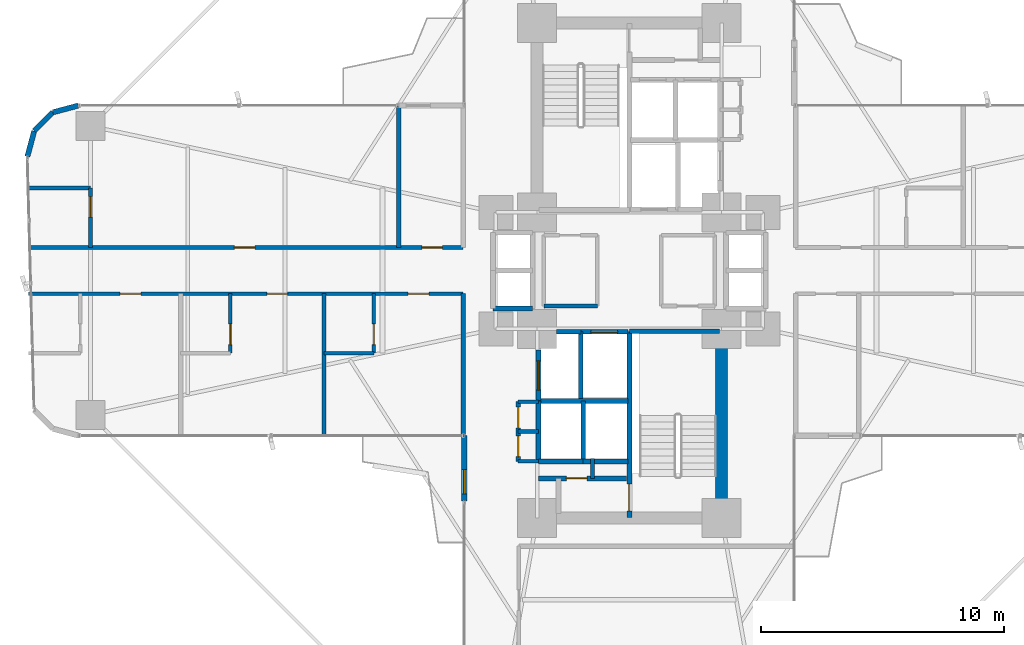
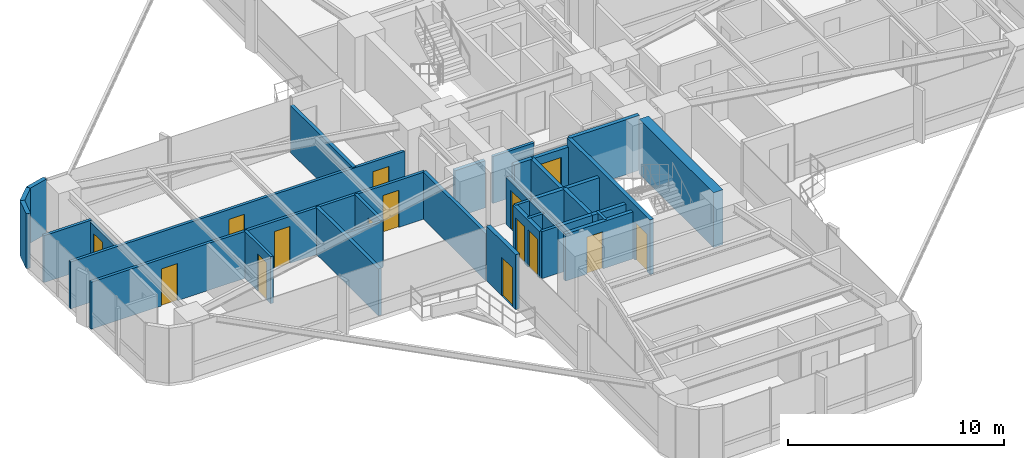
# One storey, part 22 of 25: 34 walls, 15 doors, 15 openings.
"""IFC4 building model written with IfcOpenShell, lengths in metres."""

from ifc_helpers import new_model, si_unit, direction, frame, frame_2d, origin, origin_2d, place, context, subcontext, project, spatial, rectangle, extrude, source, transform, mapped, material, layer, layer_set, type_object, element, fill, save


model = new_model("IFC4")

# Units and contexts
model_context = context("Model", 3, precision=1e-05, world=origin(), true_north=direction((0.0, 1.0)))
body_context = subcontext(model_context, "Body", "Model", "MODEL_VIEW")
ifc_project = project(units=[si_unit("LENGTHUNIT", "METRE"), si_unit("AREAUNIT", "SQUARE_METRE"), si_unit("VOLUMEUNIT", "CUBIC_METRE"), si_unit("PLANEANGLEUNIT", "RADIAN"), si_unit("MASSUNIT", "GRAM", prefix="KILO")], contexts=[model_context])

# Site, building, storey
site_placement = place(None, origin())
site = spatial("IfcSite", under=ifc_project, at=site_placement, CompositionType="ELEMENT")
building_placement = place(site_placement, origin())
building = spatial("IfcBuilding", under=site, at=building_placement, Name="Sahyath Konkavel Grand Hotel", CompositionType="ELEMENT")
storey_placement = place(building_placement, frame((0.0, 0.0, 57.75)))
storey = spatial("IfcBuildingStorey", under=building, at=storey_placement, Name="L15", CompositionType="ELEMENT", Elevation=57.75)

# Walls
ifc_material_1 = material(Name="Concrete C70/85", Category="concrete")
ifc_layer_1 = layer(ifc_material_1, 0.5)
ifc_layer_set_1 = layer_set([ifc_layer_1], Name="Concrete C70/85")
wall_type_1 = type_object("IfcWallType", Name="CWALL-500", PredefinedType="SHEAR", material=ifc_layer_set_1)
wall_1_placement = place(storey_placement, frame((3.800048828125, -9.75, 0.0), z_axis=(0.0, 0.0, 1.0), x_axis=(0.0, 1.0, 0.0)))
element("IfcWall", 1, at=wall_1_placement, inside=storey, type_object=wall_type_1, Name="L15 South Core Shear Wall E", PredefinedType="SHEAR", context=body_context, shape_type="SweptSolid", body=[
    extrude(rectangle(XDim=6.89990234375, YDim=0.5, at=frame_2d((3.449951171875, 0.0))), origin(), (0.0, 0.0, 1.0), 3.110107421875),
])
ifc_material_2 = material(Name="Warm Buff Sandstone Insulated Concrete C40/50", Category="masonry")
ifc_layer_2 = layer(ifc_material_2, 0.219970703125)
ifc_layer_set_2 = layer_set([ifc_layer_2], Name="Warm Buff Sandstone Insulated Concrete C40/50")
wall_type_2 = type_object("IfcWallType", Name="WLL-BALC-THRESH", PredefinedType="STANDARD", material=ifc_layer_set_2)
for number, where, z_axis, x_axis, name in (
    (2, (-22.699951171875, 6.800048828125, 0.0), (0.0, 0.0, 1.0), (-0.965951058412, -0.25872485917, 0.0), "L15 Rounded Corner Sandstone Pier 17"),
    (3, (-23.75, 6.518798828125, 0.0), (0.0, 0.0, 1.0), (-0.707106781187, -0.707106781187, 0.0), "L15 Rounded Corner Sandstone Pier 18"),
    (4, (-24.518798828125, 5.75, 0.0), (0.0, 0.0, 1.0), (-0.25872485917, -0.965951058412, 0.0), "L15 Rounded Corner Sandstone Pier 19"),
):
    element("IfcWall", number, at=place(storey_placement, frame(where, z_axis=z_axis, x_axis=x_axis)), inside=storey, type_object=wall_type_2, Name=name, PredefinedType="STANDARD", context=body_context, shape_type="SweptSolid", body=[
        extrude(rectangle(XDim=1.087158203125, YDim=0.219970703125, at=frame_2d((0.54345703125, 0.0))), origin(), (0.0, 0.0, 1.0), 3.110107421875),
    ])

# Wall, opening, door
wall_2_placement = place(storey_placement, frame((-6.800048828125, -6.800048828125, 0.0), z_axis=(0.0, 0.0, 1.0), x_axis=(0.0, -1.0, 0.0)))
wall_2 = element("IfcWall", 5, at=wall_2_placement, inside=storey, type_object=wall_type_2, Name="L15 Winter-Garden Threshold Wall 24", PredefinedType="STANDARD", context=body_context, shape_type="SweptSolid", body=[
    extrude(rectangle(XDim=2.699951171875, YDim=0.219970703125, at=frame_2d((1.35009765625, 0.0))), origin(), (0.0, 0.0, 1.0), 3.110107421875),
])
opening_1_placement = place(wall_2_placement, frame((1.39990234375, 0.0, 0.0)))
opening_1 = element("IfcOpeningElement", 6, at=opening_1_placement, cuts=wall_2, Name="Opening D-TR1", PredefinedType="OPENING", context=body_context, shape_type="SweptSolid", body=[
    extrude(rectangle(XDim=1.0, YDim=2.199951171875, at=frame_2d((0.5, 1.10009765625))), frame((0.0, 0.1201171875, 0.0), z_axis=(0.0, -1.0, 0.0), x_axis=(1.0, 0.0, 0.0)), (0.0, 0.0, 1.0), 0.239990234375),
])
ifc_material_3 = material(Name="Anodised Bronze Aluminium & Low-E Glazing", Category="aluminium")
door_type_1 = type_object("IfcDoorType", Name="DR-TERRACE-1000", OperationType="NOTDEFINED", PredefinedType="DOOR", material=ifc_material_3)
shared_shape_1 = source(origin(), body_context, "Body", "SweptSolid", [
    extrude(rectangle(XDim=1.0, YDim=0.050048828125, at=origin_2d()), origin(), (0.0, 0.0, 1.0), 2.199951171875),
])
door_1_placement = place(opening_1_placement, frame((0.5, 0.0, 0.0)))
door_1 = element("IfcDoor", 7, at=door_1_placement, inside=storey, type_object=door_type_1, Name="L15 Winter-Garden Terrace Door 24", OperationType="SINGLE_SWING_LEFT", OverallHeight=2.199951171875, OverallWidth=1.0, PredefinedType="DOOR", context=body_context, shape_type="MappedRepresentation", body=[
    mapped(shared_shape_1, transform((0.0, 0.0, 0.0), scale=1.0)),
])
fill(opening_1, door_1)

ifc_material_4 = material(Name="Concrete C40/50", Category="concrete")
ifc_layer_3 = layer(ifc_material_4, 0.199951171875)
ifc_layer_set_3 = layer_set([ifc_layer_3], Name="Concrete C40/50")
wall_type_3 = type_object("IfcWallType", Name="WLL-CORE-200", PredefinedType="SOLIDWALL", material=ifc_layer_set_3)
wall_3_placement = place(storey_placement, frame((0.0, -10.179931640625, 0.0), z_axis=(0.0, 0.0, 1.0), x_axis=(0.0, 1.0, 0.0)))
wall_3 = element("IfcWall", 8, at=wall_3_placement, inside=storey, type_object=wall_type_3, Name="L15 Stair ST-2 Shaft Wall W", PredefinedType="SOLIDWALL", context=body_context, shape_type="SweptSolid", body=[
    extrude(rectangle(XDim=7.679931640625, YDim=0.199951171875, at=frame_2d((3.83984375, 0.0))), origin(), (0.0, 0.0, 1.0), 3.110107421875),
])
opening_2_placement = place(wall_3_placement, frame((0.280029296875, 0.0, 0.0)))
opening_2 = element("IfcOpeningElement", 9, at=opening_2_placement, cuts=wall_3, Name="Opening D-F12B", PredefinedType="OPENING", context=body_context, shape_type="SweptSolid", body=[
    extrude(rectangle(XDim=1.10009765625, YDim=2.14990234375, at=frame_2d((0.550048828125, 1.074951171875))), frame((0.0, 0.10986328125, 0.0), z_axis=(0.0, -1.0, 0.0), x_axis=(1.0, 0.0, 0.0)), (0.0, 0.0, 1.0), 0.219970703125),
])
ifc_material_5 = material(Name="Steel E350 Smokeproof Fire Door", Category="steel")
door_type_2 = type_object("IfcDoorType", Name="DR-FD120-1100", OperationType="NOTDEFINED", PredefinedType="DOOR", material=ifc_material_5)
shared_shape_2 = source(origin(), body_context, "Body", "SweptSolid", [
    extrude(rectangle(XDim=1.10009765625, YDim=0.050048828125, at=origin_2d()), origin(), (0.0, 0.0, 1.0), 2.14990234375),
])
door_2_placement = place(opening_2_placement, frame((0.550048828125, 0.0, 0.0)))
door_2 = element("IfcDoor", 10, at=door_2_placement, inside=storey, type_object=door_type_2, Name="L15 Stair ST-2 Fire Door", OperationType="SINGLE_SWING_LEFT", OverallHeight=2.14990234375, OverallWidth=1.10009765625, PredefinedType="DOOR", context=body_context, shape_type="MappedRepresentation", body=[
    mapped(shared_shape_2, transform((0.0, 0.0, 0.0), scale=1.0)),
])
fill(opening_2, door_2)

# Walls
wall_4_placement = place(storey_placement, frame((0.0, -2.5, 0.0), z_axis=(0.0, 0.0, 1.0), x_axis=(1.0, 0.0, 0.0)))
element("IfcWall", 11, at=wall_4_placement, inside=storey, type_object=wall_type_3, Name="L15 Stair ST-2 Shaft Wall N", PredefinedType="SOLIDWALL", context=body_context, shape_type="SweptSolid", body=[
    extrude(rectangle(XDim=3.719970703125, YDim=0.199951171875, at=frame_2d((1.85986328125, 0.0))), origin(), (0.0, 0.0, 1.0), 3.110107421875),
])
wall_5_placement = place(storey_placement, frame((-2.0, -5.280029296875, 0.0), z_axis=(0.0, 0.0, 1.0), x_axis=(0.0, 1.0, 0.0)))
element("IfcWall", 12, at=wall_5_placement, inside=storey, type_object=wall_type_3, Name="L15 Partition SH-FFL2-W", PredefinedType="SOLIDWALL", context=body_context, shape_type="SweptSolid", body=[
    extrude(rectangle(XDim=2.780029296875, YDim=0.199951171875, at=frame_2d((1.39013671875, 0.0))), origin(), (0.0, 0.0, 1.0), 2.659912109375),
])

# Wall, opening, door
wall_6_placement = place(storey_placement, frame((-2.0, -2.52001953125, 0.0), z_axis=(0.0, 0.0, 1.0), x_axis=(1.0, 0.0, 0.0)))
wall_6 = element("IfcWall", 13, at=wall_6_placement, inside=storey, type_object=wall_type_3, Name="L15 Partition SH-FFL2-N", PredefinedType="SOLIDWALL", context=body_context, shape_type="SweptSolid", body=[
    extrude(rectangle(XDim=1.949951171875, YDim=0.199951171875, at=frame_2d((0.97509765625, 0.0))), origin(), (0.0, 0.0, 1.0), 2.659912109375),
])
opening_3_placement = place(wall_6_placement, frame((0.419921875, 0.0, 0.0)))
opening_3 = element("IfcOpeningElement", 14, at=opening_3_placement, cuts=wall_6, Name="Opening LD-11", PredefinedType="OPENING", context=body_context, shape_type="SweptSolid", body=[
    extrude(rectangle(XDim=1.10009765625, YDim=2.199951171875, at=frame_2d((0.550048828125, 1.10009765625))), frame((0.0, 0.10986328125, 0.0), z_axis=(0.0, -1.0, 0.0), x_axis=(1.0, 0.0, 0.0)), (0.0, 0.0, 1.0), 0.219970703125),
])
ifc_material_6 = material(Name="Bronze Lift Landing Door 1100")
door_type_3 = type_object("IfcDoorType", Name="DR-LIFT-1100", OperationType="DOUBLE_DOOR_SLIDING", PredefinedType="DOOR", material=ifc_material_6)
shared_shape_3 = source(origin(), body_context, "Body", "SweptSolid", [
    extrude(rectangle(XDim=1.10009765625, YDim=0.050048828125, at=origin_2d()), origin(), (0.0, 0.0, 1.0), 2.199951171875),
])
door_3_placement = place(opening_3_placement, frame((0.550048828125, 0.0, 0.0)))
door_3 = element("IfcDoor", 15, at=door_3_placement, inside=storey, type_object=door_type_3, Name="L15 Lift FFL-2 Landing Door", OperationType="DOUBLE_DOOR_SLIDING", OverallHeight=2.199951171875, OverallWidth=1.10009765625, PredefinedType="DOOR", context=body_context, shape_type="MappedRepresentation", body=[
    mapped(shared_shape_3, transform((0.0, 0.0, 0.0), scale=1.0)),
])
fill(opening_3, door_3)

# Wall
wall_7_placement = place(storey_placement, frame((-3.0, -2.52001953125, 0.0), z_axis=(0.0, 0.0, 1.0), x_axis=(1.0, 0.0, 0.0)))
element("IfcWall", 16, at=wall_7_placement, inside=storey, type_object=wall_type_3, Name="L15 Partition SH-SVL2-N", PredefinedType="SOLIDWALL", context=body_context, shape_type="SweptSolid", body=[
    extrude(rectangle(XDim=1.0, YDim=0.199951171875, at=frame_2d((0.5, 0.0))), origin(), (0.0, 0.0, 1.0), 2.659912109375),
])

# Wall, opening, door
wall_8_placement = place(storey_placement, frame((-3.739990234375, -5.360107421875, 0.0), z_axis=(0.0, 0.0, 1.0), x_axis=(0.0, 1.0, 0.0)))
wall_8 = element("IfcWall", 17, at=wall_8_placement, inside=storey, type_object=wall_type_3, Name="L15 Partition SH-SVL2-W", PredefinedType="SOLIDWALL", context=body_context, shape_type="SweptSolid", body=[
    extrude(rectangle(XDim=2.080078125, YDim=0.199951171875, at=frame_2d((1.0400390625, 0.0))), origin(), (0.0, 0.0, 1.0), 2.659912109375),
])
opening_4_placement = place(wall_8_placement, frame((0.43994140625, 0.0, 0.0)))
opening_4 = element("IfcOpeningElement", 18, at=opening_4_placement, cuts=wall_8, Name="Opening LD-12", PredefinedType="OPENING", context=body_context, shape_type="SweptSolid", body=[
    extrude(rectangle(XDim=1.199951171875, YDim=2.199951171875, at=frame_2d((0.60009765625, 1.10009765625))), frame((0.0, 0.10986328125, 0.0), z_axis=(0.0, -1.0, 0.0), x_axis=(1.0, 0.0, 0.0)), (0.0, 0.0, 1.0), 0.219970703125),
])
ifc_material_7 = material(Name="Stainless Steel Lift Landing Door 1200", Category="steel")
door_type_4 = type_object("IfcDoorType", Name="DR-LIFT-1200", OperationType="DOUBLE_DOOR_SLIDING", PredefinedType="DOOR", material=ifc_material_7)
shared_shape_4 = source(origin(), body_context, "Body", "SweptSolid", [
    extrude(rectangle(XDim=1.199951171875, YDim=0.050048828125, at=origin_2d()), origin(), (0.0, 0.0, 1.0), 2.199951171875),
])
door_4_placement = place(opening_4_placement, frame((0.60009765625, 0.0, 0.0)))
door_4 = element("IfcDoor", 19, at=door_4_placement, inside=storey, type_object=door_type_4, Name="L15 Service Lift SVL-2 Landing Door", OperationType="DOUBLE_DOOR_SLIDING", OverallHeight=2.199951171875, OverallWidth=1.199951171875, PredefinedType="DOOR", context=body_context, shape_type="MappedRepresentation", body=[
    mapped(shared_shape_4, transform((0.0, 0.0, 0.0), scale=1.0)),
])
fill(opening_4, door_4)

# Walls
wall_9_placement = place(storey_placement, frame((-3.739990234375, -7.860107421875, 0.0), z_axis=(0.0, 0.0, 1.0), x_axis=(0.0, 1.0, 0.0)))
element("IfcWall", 20, at=wall_9_placement, inside=storey, type_object=wall_type_3, Name="L15 Partition SH-PL3-W", PredefinedType="SOLIDWALL", context=body_context, shape_type="SweptSolid", body=[
    extrude(rectangle(XDim=2.480224609375, YDim=0.199951171875, at=frame_2d((1.240234375, 0.0))), origin(), (0.0, 0.0, 1.0), 2.659912109375),
])
wall_10_placement = place(storey_placement, frame((-3.739990234375, -7.860107421875, 0.0), z_axis=(0.0, 0.0, 1.0), x_axis=(1.0, 0.0, 0.0)))
element("IfcWall", 21, at=wall_10_placement, inside=storey, type_object=wall_type_3, Name="L15 Partition SH-PL3-S", PredefinedType="SOLIDWALL", context=body_context, shape_type="SweptSolid", body=[
    extrude(rectangle(XDim=1.840087890625, YDim=0.199951171875, at=frame_2d((0.919921875, 0.0))), origin(), (0.0, 0.0, 1.0), 2.659912109375),
])
wall_11_placement = place(storey_placement, frame((-3.739990234375, -5.3798828125, 0.0), z_axis=(0.0, 0.0, 1.0), x_axis=(1.0, 0.0, 0.0)))
element("IfcWall", 22, at=wall_11_placement, inside=storey, type_object=wall_type_3, Name="L15 Partition SH-PL34-N", PredefinedType="SOLIDWALL", context=body_context, shape_type="SweptSolid", body=[
    extrude(rectangle(XDim=3.68994140625, YDim=0.199951171875, at=frame_2d((1.844970703125, 0.0))), origin(), (0.0, 0.0, 1.0), 2.659912109375),
])
wall_12_placement = place(storey_placement, frame((-1.89990234375, -7.860107421875, 0.0), z_axis=(0.0, 0.0, 1.0), x_axis=(0.0, 1.0, 0.0)))
element("IfcWall", 23, at=wall_12_placement, inside=storey, type_object=wall_type_3, Name="L15 Partition SH-PL34-M", PredefinedType="SOLIDWALL", context=body_context, shape_type="SweptSolid", body=[
    extrude(rectangle(XDim=2.480224609375, YDim=0.199951171875, at=frame_2d((1.240234375, 0.0))), origin(), (0.0, 0.0, 1.0), 2.659912109375),
])
wall_13_placement = place(storey_placement, frame((-1.89990234375, -7.860107421875, 0.0), z_axis=(0.0, 0.0, 1.0), x_axis=(1.0, 0.0, 0.0)))
element("IfcWall", 24, at=wall_13_placement, inside=storey, type_object=wall_type_3, Name="L15 Partition SH-PL4-S", PredefinedType="SOLIDWALL", context=body_context, shape_type="SweptSolid", body=[
    extrude(rectangle(XDim=1.849853515625, YDim=0.199951171875, at=frame_2d((0.9248046875, 0.0))), origin(), (0.0, 0.0, 1.0), 2.659912109375),
])
wall_14_placement = place(storey_placement, frame((-5.6201171875, -1.56005859375, 0.0), z_axis=(0.0, 0.0, 1.0), x_axis=(1.0, 0.0, 0.0)))
element("IfcWall", 25, at=wall_14_placement, inside=storey, type_object=wall_type_3, Name="L15 Partition SH-SL12-S", PredefinedType="SOLIDWALL", context=body_context, shape_type="SweptSolid", body=[
    extrude(rectangle(XDim=1.64013671875, YDim=0.199951171875, at=frame_2d((0.820068359375, 0.0))), origin(), (0.0, 0.0, 1.0), 2.659912109375),
])

# Wall, opening, door
wall_15_placement = place(storey_placement, frame((-3.739990234375, -8.56005859375, 0.0), z_axis=(0.0, 0.0, 1.0), x_axis=(1.0, 0.0, 0.0)))
wall_15 = element("IfcWall", 26, at=wall_15_placement, inside=storey, type_object=wall_type_3, Name="L15 South FF Lobby Separation Wall", PredefinedType="SOLIDWALL", context=body_context, shape_type="SweptSolid", body=[
    extrude(rectangle(XDim=3.619873046875, YDim=0.199951171875, at=frame_2d((1.81005859375, 0.0))), origin(), (0.0, 0.0, 1.0), 2.659912109375),
])
opening_5_placement = place(wall_15_placement, frame((1.14990234375, 0.0, 0.0)))
opening_5 = element("IfcOpeningElement", 27, at=opening_5_placement, cuts=wall_15, Name="Opening D-F12D", PredefinedType="OPENING", context=body_context, shape_type="SweptSolid", body=[
    extrude(rectangle(XDim=0.85009765625, YDim=2.10009765625, at=frame_2d((0.425048828125, 1.050048828125))), frame((0.0, 0.10986328125, 0.0), z_axis=(0.0, -1.0, 0.0), x_axis=(1.0, 0.0, 0.0)), (0.0, 0.0, 1.0), 0.219970703125),
])
ifc_material_8 = material(Name="Steel E350 Core Fire Door", Category="steel")
door_type_5 = type_object("IfcDoorType", Name="DR-FD120-850", OperationType="NOTDEFINED", PredefinedType="DOOR", material=ifc_material_8)
shared_shape_5 = source(origin(), body_context, "Body", "SweptSolid", [
    extrude(rectangle(XDim=0.85009765625, YDim=0.050048828125, at=origin_2d()), origin(), (0.0, 0.0, 1.0), 2.10009765625),
])
door_5_placement = place(opening_5_placement, frame((0.425048828125, 0.0, 0.0)))
door_5 = element("IfcDoor", 28, at=door_5_placement, inside=storey, type_object=door_type_5, Name="L15 South Firefighting Lobby Door", OperationType="SINGLE_SWING_RIGHT", OverallHeight=2.10009765625, OverallWidth=0.85009765625, PredefinedType="DOOR", context=body_context, shape_type="MappedRepresentation", body=[
    mapped(shared_shape_5, transform((0.0, 0.0, 0.0), scale=1.0)),
])
fill(opening_5, door_5)

# Wall, openings, doors
wall_16_placement = place(storey_placement, frame((-4.580078125, -7.860107421875, 0.0), z_axis=(0.0, 0.0, 1.0), x_axis=(0.0, 1.0, 0.0)))
wall_16 = element("IfcWall", 29, at=wall_16_placement, inside=storey, type_object=wall_type_3, Name="L15 Partition SC-FLK-W", PredefinedType="SOLIDWALL", context=body_context, shape_type="SweptSolid", body=[
    extrude(rectangle(XDim=2.460205078125, YDim=0.199951171875, at=frame_2d((1.22998046875, 0.0))), origin(), (0.0, 0.0, 1.0), 2.659912109375),
])
opening_6_placement = place(wall_16_placement, frame((0.199951171875, 0.0, 0.0)))
opening_6 = element("IfcOpeningElement", 30, at=opening_6_placement, cuts=wall_16, Name="Opening D-F06D", PredefinedType="OPENING", context=body_context, shape_type="SweptSolid", body=[
    extrude(rectangle(XDim=0.85009765625, YDim=2.10009765625, at=frame_2d((0.425048828125, 1.050048828125))), frame((0.0, 0.10986328125, 0.0), z_axis=(0.0, -1.0, 0.0), x_axis=(1.0, 0.0, 0.0)), (0.0, 0.0, 1.0), 0.219970703125),
])
opening_7_placement = place(wall_16_placement, frame((1.3798828125, 0.0, 0.0)))
opening_7 = element("IfcOpeningElement", 31, at=opening_7_placement, cuts=wall_16, Name="Opening D-F06D", PredefinedType="OPENING", context=body_context, shape_type="SweptSolid", body=[
    extrude(rectangle(XDim=0.85009765625, YDim=2.10009765625, at=frame_2d((0.425048828125, 1.050048828125))), frame((0.0, 0.10986328125, 0.0), z_axis=(0.0, -1.0, 0.0), x_axis=(1.0, 0.0, 0.0)), (0.0, 0.0, 1.0), 0.219970703125),
])
ifc_material_9 = material(Name="Fire-Rated Shaft Access Door")
door_type_6 = type_object("IfcDoorType", Name="DR-FD60-850", OperationType="NOTDEFINED", PredefinedType="DOOR", material=ifc_material_9)
door_6_placement = place(opening_6_placement, frame((0.425048828125, 0.0, 0.0)))
door_6 = element("IfcDoor", 32, at=door_6_placement, inside=storey, type_object=door_type_6, Name="L15 Door SC-FLK1-D", OperationType="SINGLE_SWING_RIGHT", OverallHeight=2.10009765625, OverallWidth=0.85009765625, PredefinedType="DOOR", context=body_context, shape_type="MappedRepresentation", body=[
    mapped(shared_shape_5, transform((0.0, 0.0, 0.0), scale=1.0)),
])
fill(opening_6, door_6)
door_7_placement = place(opening_7_placement, frame((0.425048828125, 0.0, 0.0)))
door_7 = element("IfcDoor", 33, at=door_7_placement, inside=storey, type_object=door_type_6, Name="L15 Door SC-FLK2-D", OperationType="SINGLE_SWING_LEFT", OverallHeight=2.10009765625, OverallWidth=0.85009765625, PredefinedType="DOOR", context=body_context, shape_type="MappedRepresentation", body=[
    mapped(shared_shape_5, transform((0.0, 0.0, 0.0), scale=1.0)),
])
fill(opening_7, door_7)

# Walls
ifc_material_10 = material(Name="Twin-Stud Acoustic Gypsum Plasterboard Partition")
ifc_layer_4 = layer(ifc_material_10, 0.179931640625)
ifc_layer_set_4 = layer_set([ifc_layer_4], Name="Twin-Stud Acoustic Gypsum Plasterboard Partition")
wall_type_4 = type_object("IfcWallType", Name="WLL-DEMISE-180", PredefinedType="PARTITIONING", material=ifc_layer_set_4)
for number, where, z_axis, x_axis, name in (
    (34, (-6.85009765625, -0.949951171875, 0.0), (0.0, 0.0, 1.0), (0.0, -1.0, 0.0), "L15 Partition W-INL"),
    (35, (-12.577880859375, -0.949951171875, 0.0), (0.0, 0.0, 1.0), (0.0, -1.0, 0.0), "L15 Partition W-W1L-DEM"),
    (36, (-9.5, 0.949951171875, 0.0), (0.0, 0.0, 1.0), (0.0, 1.0, 0.0), "L15 Partition W-WHK-DEM"),
):
    element("IfcWall", number, at=place(storey_placement, frame(where, z_axis=z_axis, x_axis=x_axis)), inside=storey, type_object=wall_type_4, Name=name, PredefinedType="PARTITIONING", context=body_context, shape_type="SweptSolid", body=[
        extrude(rectangle(XDim=5.800048828125, YDim=0.179931640625, at=frame_2d((2.89990234375, 0.0))), origin(), (0.0, 0.0, 1.0), 2.659912109375),
    ])
ifc_material_11 = material(Name="Fire-Rated Gypsum Plasterboard Partition")
ifc_layer_5 = layer(ifc_material_11, 0.14990234375)
ifc_layer_set_5 = layer_set([ifc_layer_5], Name="Fire-Rated Gypsum Plasterboard Partition")
wall_type_5 = type_object("IfcWallType", Name="WLL-PART-150", PredefinedType="PARTITIONING", material=ifc_layer_set_5)
wall_17_placement = place(storey_placement, frame((-1.52001953125, -8.56005859375, 0.0), z_axis=(0.0, 0.0, 1.0), x_axis=(0.0, 1.0, 0.0)))
element("IfcWall", 37, at=wall_17_placement, inside=storey, type_object=wall_type_5, Name="L15 Partition SC-VST-E", PredefinedType="PARTITIONING", context=body_context, shape_type="SweptSolid", body=[
    extrude(rectangle(XDim=0.820068359375, YDim=0.14990234375, at=frame_2d((0.41015625, 0.0))), origin(), (0.0, 0.0, 1.0), 2.659912109375),
])
for number, where, z_axis, x_axis, name in (
    (38, (-4.580078125, -5.39990234375, 0.0), (0.0, 0.0, 1.0), (1.0, 0.0, 0.0), "L15 Partition SC-FLK-N"),
    (39, (-4.580078125, -7.860107421875, 0.0), (0.0, 0.0, 1.0), (1.0, 0.0, 0.0), "L15 Partition SC-FLK-S"),
    (40, (-4.580078125, -6.6298828125, 0.0), (0.0, 0.0, 1.0), (1.0, 0.0, 0.0), "L15 Partition SC-FLK-M"),
):
    element("IfcWall", number, at=place(storey_placement, frame(where, z_axis=z_axis, x_axis=x_axis)), inside=storey, type_object=wall_type_5, Name=name, PredefinedType="PARTITIONING", context=body_context, shape_type="SweptSolid", body=[
        extrude(rectangle(XDim=0.840087890625, YDim=0.14990234375, at=frame_2d((0.419921875, 0.0))), origin(), (0.0, 0.0, 1.0), 2.659912109375),
    ])
wall_18_placement = place(storey_placement, frame((-3.52001953125, -1.4599609375, 0.0), z_axis=(0.0, 0.0, 1.0), x_axis=(1.0, 0.0, 0.0)))
element("IfcWall", 41, at=wall_18_placement, inside=storey, type_object=wall_type_5, Name="L15 Partition CC-1WS", PredefinedType="PARTITIONING", context=body_context, shape_type="SweptSolid", body=[
    extrude(rectangle(XDim=2.199951171875, YDim=0.14990234375, at=frame_2d((1.10009765625, 0.0))), origin(), (0.0, 0.0, 1.0), 2.659912109375),
])

# Wall, openings, doors
wall_19_placement = place(storey_placement, frame((-6.85009765625, -0.949951171875, 0.0), z_axis=(0.0, 0.0, 1.0), x_axis=(-1.0, 0.0, 0.0)))
wall_19 = element("IfcWall", 42, at=wall_19_placement, inside=storey, type_object=wall_type_5, Name="L15 Partition W-CL", PredefinedType="PARTITIONING", context=body_context, shape_type="SweptSolid", body=[
    extrude(rectangle(XDim=17.89990234375, YDim=0.14990234375, at=frame_2d((8.949951171875, 0.0))), origin(), (0.0, 0.0, 1.0), 2.659912109375),
])
opening_8_placement = place(wall_19_placement, frame((1.4140625, 0.0, 0.0)))
opening_8 = element("IfcOpeningElement", 43, at=opening_8_placement, cuts=wall_19, Name="Opening D-F06D", PredefinedType="OPENING", context=body_context, shape_type="SweptSolid", body=[
    extrude(rectangle(XDim=0.85009765625, YDim=2.10009765625, at=frame_2d((0.425048828125, 1.050048828125))), frame((0.0, 0.0849609375, 0.0), z_axis=(0.0, -1.0, 0.0), x_axis=(1.0, 0.0, 0.0)), (0.0, 0.0, 1.0), 0.169921875),
])
opening_9_placement = place(wall_19_placement, frame((7.23095703125, 0.0, 0.0)))
opening_9 = element("IfcOpeningElement", 44, at=opening_9_placement, cuts=wall_19, Name="Opening D-F06D", PredefinedType="OPENING", context=body_context, shape_type="SweptSolid", body=[
    extrude(rectangle(XDim=0.85009765625, YDim=2.10009765625, at=frame_2d((0.425048828125, 1.050048828125))), frame((0.0, 0.0849609375, 0.0), z_axis=(0.0, -1.0, 0.0), x_axis=(1.0, 0.0, 0.0)), (0.0, 0.0, 1.0), 0.169921875),
])
opening_10_placement = place(wall_19_placement, frame((13.278076171875, 0.0, 0.0)))
opening_10 = element("IfcOpeningElement", 45, at=opening_10_placement, cuts=wall_19, Name="Opening D-F06D", PredefinedType="OPENING", context=body_context, shape_type="SweptSolid", body=[
    extrude(rectangle(XDim=0.85009765625, YDim=2.10009765625, at=frame_2d((0.425048828125, 1.050048828125))), frame((0.0, 0.0849609375, 0.0), z_axis=(0.0, -1.0, 0.0), x_axis=(1.0, 0.0, 0.0)), (0.0, 0.0, 1.0), 0.169921875),
])
door_8_placement = place(opening_8_placement, frame((0.425048828125, 0.0, 0.0)))
door_8 = element("IfcDoor", 46, at=door_8_placement, inside=storey, type_object=door_type_6, Name="L15 Door W-W1L-ED", OperationType="SINGLE_SWING_RIGHT", OverallHeight=2.10009765625, OverallWidth=0.85009765625, PredefinedType="DOOR", context=body_context, shape_type="MappedRepresentation", body=[
    mapped(shared_shape_5, transform((0.0, 0.0, 0.0), scale=1.0)),
])
fill(opening_8, door_8)
door_9_placement = place(opening_9_placement, frame((0.425048828125, 0.0, 0.0)))
door_9 = element("IfcDoor", 47, at=door_9_placement, inside=storey, type_object=door_type_6, Name="L15 Door W-W2L-ED", OperationType="SINGLE_SWING_RIGHT", OverallHeight=2.10009765625, OverallWidth=0.85009765625, PredefinedType="DOOR", context=body_context, shape_type="MappedRepresentation", body=[
    mapped(shared_shape_5, transform((0.0, 0.0, 0.0), scale=1.0)),
])
fill(opening_9, door_9)
door_10_placement = place(opening_10_placement, frame((0.425048828125, 0.0, 0.0)))
door_10 = element("IfcDoor", 48, at=door_10_placement, inside=storey, type_object=door_type_6, Name="L15 Door W-W3L-ED", OperationType="SINGLE_SWING_RIGHT", OverallHeight=2.10009765625, OverallWidth=0.85009765625, PredefinedType="DOOR", context=body_context, shape_type="MappedRepresentation", body=[
    mapped(shared_shape_5, transform((0.0, 0.0, 0.0), scale=1.0)),
])
fill(opening_10, door_10)

wall_20_placement = place(storey_placement, frame((-6.85009765625, 0.949951171875, 0.0), z_axis=(0.0, 0.0, 1.0), x_axis=(-1.0, 0.0, 0.0)))
wall_20 = element("IfcWall", 49, at=wall_20_placement, inside=storey, type_object=wall_type_5, Name="L15 Partition W-CR", PredefinedType="PARTITIONING", context=body_context, shape_type="SweptSolid", body=[
    extrude(rectangle(XDim=17.89990234375, YDim=0.14990234375, at=frame_2d((8.949951171875, 0.0))), origin(), (0.0, 0.0, 1.0), 2.659912109375),
])
opening_11_placement = place(wall_20_placement, frame((0.85009765625, 0.0, 0.0)))
opening_11 = element("IfcOpeningElement", 50, at=opening_11_placement, cuts=wall_20, Name="Opening D-F06D", PredefinedType="OPENING", context=body_context, shape_type="SweptSolid", body=[
    extrude(rectangle(XDim=0.85009765625, YDim=2.10009765625, at=frame_2d((0.425048828125, 1.050048828125))), frame((0.0, 0.0849609375, 0.0), z_axis=(0.0, -1.0, 0.0), x_axis=(1.0, 0.0, 0.0)), (0.0, 0.0, 1.0), 0.169921875),
])
opening_12_placement = place(wall_20_placement, frame((8.574951171875, 0.0, 0.0)))
opening_12 = element("IfcOpeningElement", 51, at=opening_12_placement, cuts=wall_20, Name="Opening D-F06D", PredefinedType="OPENING", context=body_context, shape_type="SweptSolid", body=[
    extrude(rectangle(XDim=0.85009765625, YDim=2.10009765625, at=frame_2d((0.425048828125, 1.050048828125))), frame((0.0, 0.0849609375, 0.0), z_axis=(0.0, -1.0, 0.0), x_axis=(1.0, 0.0, 0.0)), (0.0, 0.0, 1.0), 0.169921875),
])
door_11_placement = place(opening_11_placement, frame((0.425048828125, 0.0, 0.0)))
door_11 = element("IfcDoor", 52, at=door_11_placement, inside=storey, type_object=door_type_6, Name="L15 Door W-WHK-D", OperationType="SINGLE_SWING_LEFT", OverallHeight=2.10009765625, OverallWidth=0.85009765625, PredefinedType="DOOR", context=body_context, shape_type="MappedRepresentation", body=[
    mapped(shared_shape_5, transform((0.0, 0.0, 0.0), scale=1.0)),
])
fill(opening_11, door_11)
door_12_placement = place(opening_12_placement, frame((0.425048828125, 0.0, 0.0)))
door_12 = element("IfcDoor", 53, at=door_12_placement, inside=storey, type_object=door_type_6, Name="L15 Door W-W2R-ED", OperationType="SINGLE_SWING_LEFT", OverallHeight=2.10009765625, OverallWidth=0.85009765625, PredefinedType="DOOR", context=body_context, shape_type="MappedRepresentation", body=[
    mapped(shared_shape_5, transform((0.0, 0.0, 0.0), scale=1.0)),
])
fill(opening_12, door_12)

# Wall, opening, door
wall_21_placement = place(storey_placement, frame((-10.528076171875, -0.949951171875, 0.0), z_axis=(0.0, 0.0, 1.0), x_axis=(0.0, -1.0, 0.0)))
wall_21 = element("IfcWall", 54, at=wall_21_placement, inside=storey, type_object=wall_type_5, Name="L15 Partition W-W1L-BS", PredefinedType="PARTITIONING", context=body_context, shape_type="SweptSolid", body=[
    extrude(rectangle(XDim=2.449951171875, YDim=0.14990234375, at=frame_2d((1.22509765625, 0.0))), origin(), (0.0, 0.0, 1.0), 2.659912109375),
])
opening_13_placement = place(wall_21_placement, frame((1.25, 0.0, 0.0)))
opening_13 = element("IfcOpeningElement", 55, at=opening_13_placement, cuts=wall_21, Name="Opening D-BT85", PredefinedType="OPENING", context=body_context, shape_type="SweptSolid", body=[
    extrude(rectangle(XDim=0.85009765625, YDim=2.10009765625, at=frame_2d((0.425048828125, 1.050048828125))), frame((0.0, 0.0849609375, 0.0), z_axis=(0.0, -1.0, 0.0), x_axis=(1.0, 0.0, 0.0)), (0.0, 0.0, 1.0), 0.169921875),
])
ifc_material_12 = material(Name="Moisture-Resistant Teak Bathroom Door")
door_type_7 = type_object("IfcDoorType", Name="DR-BATH-850", OperationType="NOTDEFINED", PredefinedType="DOOR", material=ifc_material_12)
door_13_placement = place(opening_13_placement, frame((0.425048828125, 0.0, 0.0)))
door_13 = element("IfcDoor", 56, at=door_13_placement, inside=storey, type_object=door_type_7, Name="L15 Door W-W1L-BD", OperationType="SINGLE_SWING_LEFT", OverallHeight=2.10009765625, OverallWidth=0.85009765625, PredefinedType="DOOR", context=body_context, shape_type="MappedRepresentation", body=[
    mapped(shared_shape_5, transform((0.0, 0.0, 0.0), scale=1.0)),
])
fill(opening_13, door_13)

# Wall
wall_22_placement = place(storey_placement, frame((-10.528076171875, -3.39990234375, 0.0), z_axis=(0.0, 0.0, 1.0), x_axis=(-1.0, 0.0, 0.0)))
element("IfcWall", 57, at=wall_22_placement, inside=storey, type_object=wall_type_5, Name="L15 Partition W-W1L-BF", PredefinedType="PARTITIONING", context=body_context, shape_type="SweptSolid", body=[
    extrude(rectangle(XDim=2.0498046875, YDim=0.14990234375, at=frame_2d((1.02490234375, 0.0))), origin(), (0.0, 0.0, 1.0), 2.6298828125),
])

# Wall, opening, door
wall_23_placement = place(storey_placement, frame((-16.43505859375, -0.949951171875, 0.0), z_axis=(0.0, 0.0, 1.0), x_axis=(0.0, -1.0, 0.0)))
wall_23 = element("IfcWall", 58, at=wall_23_placement, inside=storey, type_object=wall_type_5, Name="L15 Partition W-W2L-BS", PredefinedType="PARTITIONING", context=body_context, shape_type="SweptSolid", body=[
    extrude(rectangle(XDim=2.449951171875, YDim=0.14990234375, at=frame_2d((1.22509765625, 0.0))), origin(), (0.0, 0.0, 1.0), 2.659912109375),
])
opening_14_placement = place(wall_23_placement, frame((1.25, 0.0, 0.0)))
opening_14 = element("IfcOpeningElement", 59, at=opening_14_placement, cuts=wall_23, Name="Opening D-BT85", PredefinedType="OPENING", context=body_context, shape_type="SweptSolid", body=[
    extrude(rectangle(XDim=0.85009765625, YDim=2.10009765625, at=frame_2d((0.425048828125, 1.050048828125))), frame((0.0, 0.0849609375, 0.0), z_axis=(0.0, -1.0, 0.0), x_axis=(1.0, 0.0, 0.0)), (0.0, 0.0, 1.0), 0.169921875),
])
door_14_placement = place(opening_14_placement, frame((0.425048828125, 0.0, 0.0)))
door_14 = element("IfcDoor", 60, at=door_14_placement, inside=storey, type_object=door_type_7, Name="L15 Door W-W2L-BD", OperationType="SINGLE_SWING_LEFT", OverallHeight=2.10009765625, OverallWidth=0.85009765625, PredefinedType="DOOR", context=body_context, shape_type="MappedRepresentation", body=[
    mapped(shared_shape_5, transform((0.0, 0.0, 0.0), scale=1.0)),
])
fill(opening_14, door_14)

wall_24_placement = place(storey_placement, frame((-22.199951171875, 0.949951171875, 0.0), z_axis=(0.0, 0.0, 1.0), x_axis=(0.0, 1.0, 0.0)))
wall_24 = element("IfcWall", 61, at=wall_24_placement, inside=storey, type_object=wall_type_5, Name="L15 Partition W-W2R-BS", PredefinedType="PARTITIONING", context=body_context, shape_type="SweptSolid", body=[
    extrude(rectangle(XDim=2.449951171875, YDim=0.14990234375, at=frame_2d((1.22509765625, 0.0))), origin(), (0.0, 0.0, 1.0), 2.580078125),
])
opening_15_placement = place(wall_24_placement, frame((1.25, 0.0, 0.0)))
opening_15 = element("IfcOpeningElement", 62, at=opening_15_placement, cuts=wall_24, Name="Opening D-BT85", PredefinedType="OPENING", context=body_context, shape_type="SweptSolid", body=[
    extrude(rectangle(XDim=0.85009765625, YDim=2.10009765625, at=frame_2d((0.425048828125, 1.050048828125))), frame((0.0, 0.0849609375, 0.0), z_axis=(0.0, -1.0, 0.0), x_axis=(1.0, 0.0, 0.0)), (0.0, 0.0, 1.0), 0.169921875),
])
door_15_placement = place(opening_15_placement, frame((0.425048828125, 0.0, 0.0)))
door_15 = element("IfcDoor", 63, at=door_15_placement, inside=storey, type_object=door_type_7, Name="L15 Door W-W2R-BD", OperationType="SINGLE_SWING_RIGHT", OverallHeight=2.10009765625, OverallWidth=0.85009765625, PredefinedType="DOOR", context=body_context, shape_type="MappedRepresentation", body=[
    mapped(shared_shape_5, transform((0.0, 0.0, 0.0), scale=1.0)),
])
fill(opening_15, door_15)

# Wall
wall_25_placement = place(storey_placement, frame((-22.199951171875, 3.39990234375, 0.0), z_axis=(0.0, 0.0, 1.0), x_axis=(-1.0, 0.0, 0.0)))
element("IfcWall", 64, at=wall_25_placement, inside=storey, type_object=wall_type_5, Name="L15 Partition W-W2R-BF", PredefinedType="PARTITIONING", context=body_context, shape_type="SweptSolid", body=[
    extrude(rectangle(XDim=2.550048828125, YDim=0.14990234375, at=frame_2d((1.27490234375, 0.0))), origin(), (0.0, 0.0, 1.0), 2.659912109375),
])

save(model, "model.ifc")
